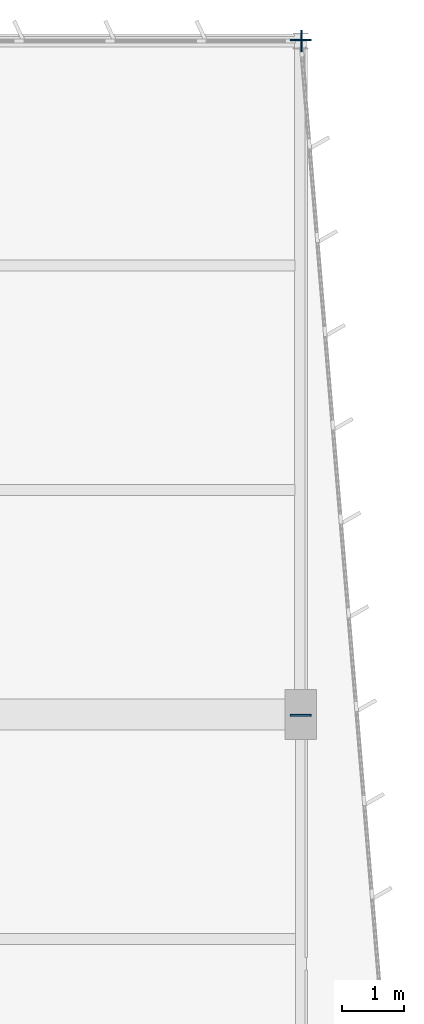
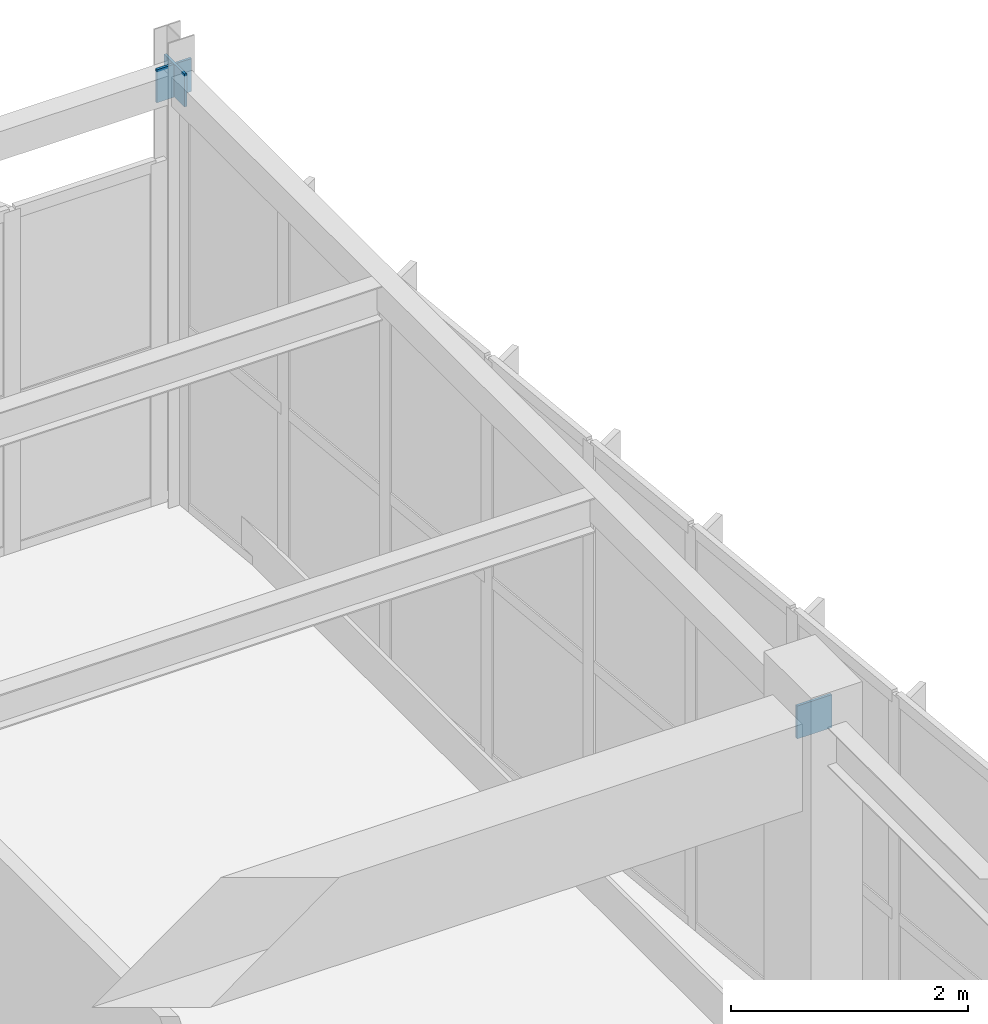
# One storey, part 188 of 226: 3 plates.
"""IFC4 building model written with IfcOpenShell, lengths in metres."""

from ifc_helpers import new_model, si_unit, direction, frame, origin, origin_2d, place, context, subcontext, project, spatial, rectangle, extrude, material, layer, layer_set, type_object, element, save


model = new_model("IFC4")

# Units and contexts
model_context = context("Model", 3, precision=1e-05, world=origin(), true_north=direction((0.0, 1.0)))
body_context = subcontext(model_context, "Body", "Model", "MODEL_VIEW")
ifc_project = project(units=[si_unit("LENGTHUNIT", "METRE"), si_unit("AREAUNIT", "SQUARE_METRE"), si_unit("VOLUMEUNIT", "CUBIC_METRE"), si_unit("PLANEANGLEUNIT", "RADIAN"), si_unit("MASSUNIT", "GRAM", prefix="KILO")], contexts=[model_context])

# Site, building, storey
site_placement = place(None, origin())
site = spatial("IfcSite", under=ifc_project, at=site_placement, CompositionType="ELEMENT")
building_placement = place(site_placement, origin())
building = spatial("IfcBuilding", under=site, at=building_placement, Name="Tarnwether General Hospital", CompositionType="ELEMENT")
storey_placement = place(building_placement, frame((0.0, 0.0, 4.800048828125)))
storey = spatial("IfcBuildingStorey", under=building, at=storey_placement, Name="L01", CompositionType="ELEMENT", Elevation=4.800048828125)

# Plates
ifc_material = material(Name="Steel Grade 350 (350 MPa)", Category="steel")
ifc_layer = layer(ifc_material, 0.02490234375)
ifc_layer_set = layer_set([ifc_layer], Name="Steel Grade 350 (350 MPa)")
plate_type = type_object("IfcPlateType", Name="PT-GUS2", PredefinedType="USERDEFINED", material=ifc_layer_set)
for number, where, z_axis, x_axis, name in (
    (1, (192.012451171875, 126.0, 4.125), (0.0, 0.0, 1.0), (1.0, 0.0, 0.0), "Hollow Section Welded End Cap Plate 0940"),
    (2, (192.0, 115.1875, 4.125), (0.0, 0.0, 1.0), (0.0, 1.0, 0.0), "Hollow Section Welded End Cap Plate 0947"),
    (3, (192.0, 126.012451171875, 4.125), (0.0, 0.0, 1.0), (0.0, 1.0, 0.0), "Hollow Section Welded End Cap Plate 0948"),
):
    element("IfcPlate", number, at=place(storey_placement, frame(where, z_axis=z_axis, x_axis=x_axis)), inside=storey, type_object=plate_type, Name=name, ObjectType="GUSSET", PredefinedType="USERDEFINED", context=body_context, shape_type="SweptSolid", body=[
        extrude(rectangle(XDim=0.02490234375, YDim=0.340087890625, at=origin_2d()), origin(), (0.0, 0.0, 1.0), 0.340087890625),
    ])

save(model, "model.ifc")
